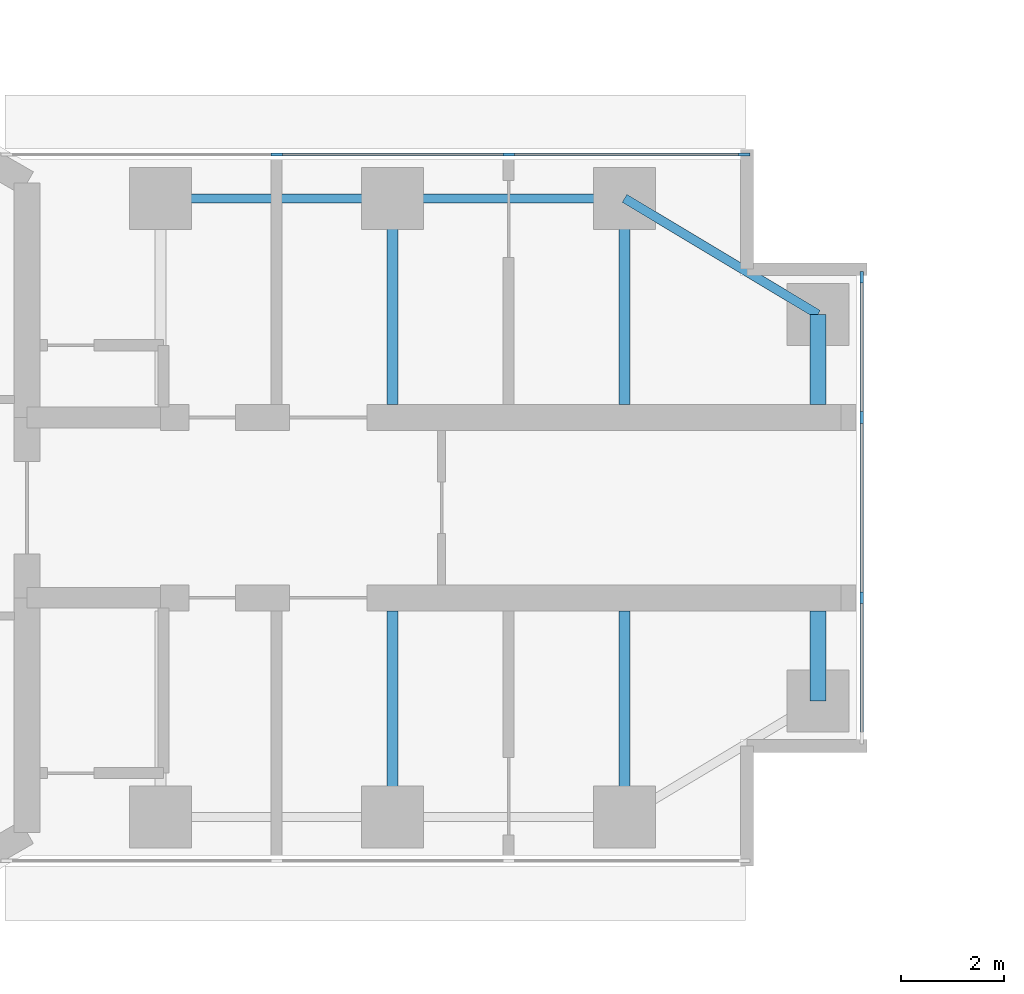
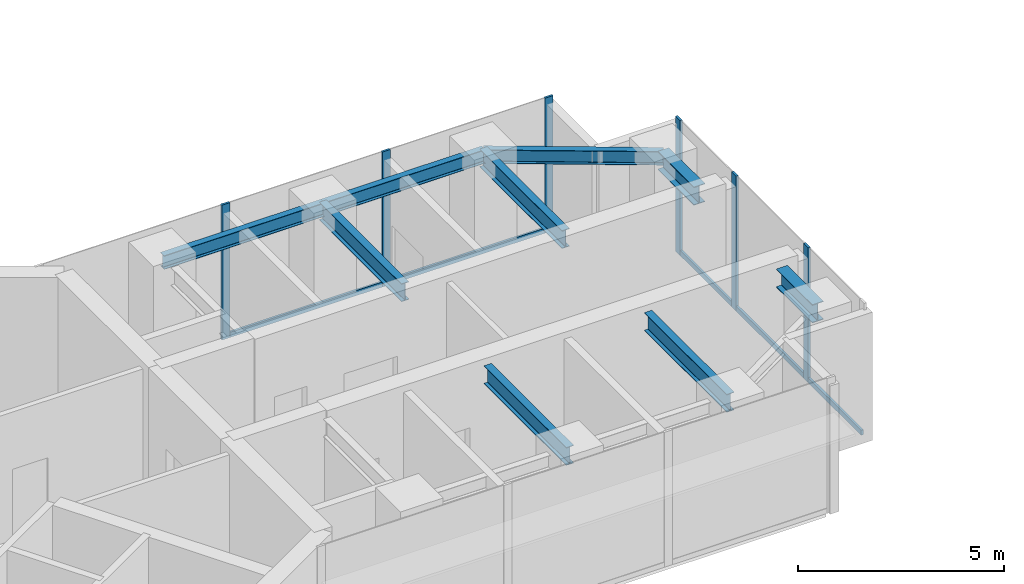
# One storey, part 7 of 17: 11 members, 9 beams, 2 elements without a shape of their own.
"""IFC4 building model written with IfcOpenShell, lengths in metres."""

from ifc_helpers import new_model, si_unit, direction, frame, origin, origin_2d, place, context, subcontext, project, spatial, rectangle, i_section, extrude, material, material_profile, profile_set, type_object, element, aggregate, save


model = new_model("IFC4")

# Units and contexts
model_context = context("Model", 3, precision=1e-05, world=origin(), true_north=direction((0.0, 1.0)))
body_context = subcontext(model_context, "Body", "Model", "MODEL_VIEW")
ifc_project = project(units=[si_unit("LENGTHUNIT", "METRE"), si_unit("AREAUNIT", "SQUARE_METRE"), si_unit("VOLUMEUNIT", "CUBIC_METRE"), si_unit("PLANEANGLEUNIT", "RADIAN"), si_unit("MASSUNIT", "GRAM", prefix="KILO")], contexts=[model_context])

# Site, building, storey
site_placement = place(None, origin())
site = spatial("IfcSite", under=ifc_project, at=site_placement, CompositionType="ELEMENT")
building_placement = place(site_placement, origin())
building = spatial("IfcBuilding", under=site, at=building_placement, Name="Upepo Twin Towers", CompositionType="ELEMENT")
storey_placement = place(building_placement, frame((0.0, 0.0, 190.5)))
storey = spatial("IfcBuildingStorey", under=building, at=storey_placement, Name="L46", CompositionType="ELEMENT", Elevation=190.5)

# Beams
ifc_material_1 = material(Name="Steel S355", Category="steel")
ifc_material_profile_1 = material_profile(ifc_material_1, i_section(OverallWidth=0.177978515625, OverallDepth=0.406494140625, WebThickness=0.0078125, FlangeThickness=0.0126953125, FilletRadius=0.01025390625, at=origin_2d()), Name="UB 406x178x60")
ifc_profile_set_1 = profile_set([ifc_material_profile_1], Name="Steel S355")
beam_type_1 = type_object("IfcBeamType", Name="Beam UB 406x178x60", PredefinedType="BEAM", material=ifc_profile_set_1)
for number, where, z_axis, x_axis, name in (
    (1, (13.5, 6.0, 3.5966796875), (1.0, 0.0, 0.0), (0.0, 1.0, 0.0), "T1 edge beam AL 13.5-18.0"),
    (2, (18.0, 6.0, 3.5966796875), (1.0, 0.0, 0.0), (0.0, 1.0, 0.0), "T1 edge beam AL 18.0-22.5"),
):
    element("IfcBeam", number, at=place(storey_placement, frame(where, z_axis=z_axis, x_axis=x_axis)), inside=storey, type_object=beam_type_1, Name=name, PredefinedType="BEAM", context=body_context, shape_type="SweptSolid", body=[
        extrude(i_section(OverallWidth=0.177978515625, OverallDepth=0.406494140625, WebThickness=0.0078125, FlangeThickness=0.0126953125, FilletRadius=0.01025390625, at=origin_2d()), origin(), (0.0, 0.0, 1.0), 4.5),
    ])
beam_placement = place(storey_placement, frame((22.5, 6.0, 3.5966796875), z_axis=(0.857492925713, -0.514495755428, 0.0), x_axis=(0.514495755428, 0.857492925713, 0.0)))
element("IfcBeam", 3, at=beam_placement, inside=storey, type_object=beam_type_1, Name="T1 nose edge beam AL", PredefinedType="BEAM", context=body_context, shape_type="SweptSolid", body=[
    extrude(i_section(OverallWidth=0.177978515625, OverallDepth=0.406494140625, WebThickness=0.0078125, FlangeThickness=0.0126953125, FilletRadius=0.01025390625, at=origin_2d()), origin(), (0.0, 0.0, 1.0), 4.373291015625),
])
ifc_material_2 = material(Name="Steel S355", Category="steel")
ifc_material_profile_2 = material_profile(ifc_material_2, i_section(OverallWidth=0.209228515625, OverallDepth=0.533203125, WebThickness=0.010009765625, FlangeThickness=0.015625, FilletRadius=0.0126953125, at=origin_2d()), Name="UB 533x210x92")
ifc_profile_set_2 = profile_set([ifc_material_profile_2], Name="Steel S355")
beam_type_2 = type_object("IfcBeamType", Name="Beam UB 533x210x92", PredefinedType="BEAM", material=ifc_profile_set_2)
for number, where, z_axis, x_axis, name in (
    (4, (18.0, 6.0, 3.533447265625), (0.0, -1.0, 0.0), (1.0, 0.0, 0.0), "T1 girder AL at 18.0"),
    (5, (22.5, 6.0, 3.533447265625), (0.0, -1.0, 0.0), (1.0, 0.0, 0.0), "T1 girder AL at 22.5"),
    (6, (18.0, -6.0, 3.533447265625), (0.0, 1.0, 0.0), (-1.0, 0.0, 0.0), "T1 girder AR at 18.0"),
    (7, (22.5, -6.0, 3.533447265625), (0.0, 1.0, 0.0), (-1.0, 0.0, 0.0), "T1 girder AR at 22.5"),
):
    element("IfcBeam", number, at=place(storey_placement, frame(where, z_axis=z_axis, x_axis=x_axis)), inside=storey, type_object=beam_type_2, Name=name, PredefinedType="BEAM", context=body_context, shape_type="SweptSolid", body=[
        extrude(i_section(OverallWidth=0.209228515625, OverallDepth=0.533203125, WebThickness=0.010009765625, FlangeThickness=0.015625, FilletRadius=0.0126953125, at=origin_2d()), origin(), (0.0, 0.0, 1.0), 4.0),
    ])
ifc_material_3 = material(Name="Steel S355", Category="steel")
ifc_material_profile_3 = material_profile(ifc_material_3, i_section(OverallWidth=0.31201171875, OverallDepth=0.54345703125, WebThickness=0.0126953125, FlangeThickness=0.020263671875, FilletRadius=0.0126953125, at=origin_2d()), Name="UB 533x312x150")
ifc_profile_set_3 = profile_set([ifc_material_profile_3], Name="Steel S355")
beam_type_3 = type_object("IfcBeamType", Name="Beam UB 533x312x150", PredefinedType="BEAM", material=ifc_profile_set_3)
for number, where, z_axis, x_axis, name in (
    (8, (26.25, 3.75, 3.5283203125), (0.0, -1.0, 0.0), (1.0, 0.0, 0.0), "T1 nose beam AL"),
    (9, (26.25, -3.75, 3.5283203125), (0.0, 1.0, 0.0), (-1.0, 0.0, 0.0), "T1 nose beam AR"),
):
    element("IfcBeam", number, at=place(storey_placement, frame(where, z_axis=z_axis, x_axis=x_axis)), inside=storey, type_object=beam_type_3, Name=name, PredefinedType="BEAM", context=body_context, shape_type="SweptSolid", body=[
        extrude(i_section(OverallWidth=0.31201171875, OverallDepth=0.54345703125, WebThickness=0.0126953125, FlangeThickness=0.020263671875, FilletRadius=0.0126953125, at=origin_2d()), origin(), (0.0, 0.0, 1.0), 1.75),
    ])

# Curtain wall, members
ifc_material_4 = material(Name="Aluminium and fritted glass", Category="aluminium")
curtain_wall_type = type_object("IfcCurtainWallType", Name="Tower curtain wall TW3, fritted glass", PredefinedType="NOTDEFINED", material=ifc_material_4)
curtain_wall_1_placement = place(storey_placement, origin())
curtain_wall_1 = element("IfcCurtainWall", 10, at=curtain_wall_1_placement, inside=storey, type_object=curtain_wall_type, Name="T1 L46 wing A flank L curtain wall", PredefinedType="NOTDEFINED")
ifc_material_5 = material(Name="Aluminium mullion", Category="aluminium")
ifc_material_profile_4 = material_profile(ifc_material_5, rectangle(XDim=0.06494140625, YDim=0.22509765625, at=origin_2d()), Name="MULLION 65x225")
ifc_profile_set_4 = profile_set([ifc_material_profile_4], Name="Aluminium mullion")
member_type_1 = type_object("IfcMemberType", Name="Mullion 65x225 TW3", PredefinedType="MULLION", material=ifc_profile_set_4)
member_1_placement = place(storey_placement, frame((15.75, 6.85009765625, 0.0), z_axis=(0.0, 0.0, 1.0), x_axis=(0.0, 1.0, 0.0)))
member_1 = element("IfcMember", 11, at=member_1_placement, type_object=member_type_1, Name="T1 L46 wing A flank L curtain wall mullion 2", PredefinedType="MULLION", context=body_context, shape_type="SweptSolid", body=[
    extrude(rectangle(XDim=0.06494140625, YDim=0.22509765625, at=origin_2d()), origin(), (0.0, 0.0, 1.0), 4.0),
])
member_2_placement = place(storey_placement, frame((20.25, 6.85009765625, 0.0), z_axis=(0.0, 0.0, 1.0), x_axis=(0.0, 1.0, 0.0)))
member_2 = element("IfcMember", 12, at=member_2_placement, type_object=member_type_1, Name="T1 L46 wing A flank L curtain wall mullion 3", PredefinedType="MULLION", context=body_context, shape_type="SweptSolid", body=[
    extrude(rectangle(XDim=0.06494140625, YDim=0.22509765625, at=origin_2d()), origin(), (0.0, 0.0, 1.0), 4.0),
])
member_3_placement = place(storey_placement, frame((24.8173828125, 6.85009765625, 0.0), z_axis=(0.0, 0.0, 1.0), x_axis=(0.0, 1.0, 0.0)))
member_3 = element("IfcMember", 13, at=member_3_placement, type_object=member_type_1, Name="T1 L46 wing A flank L curtain wall mullion 4", PredefinedType="MULLION", context=body_context, shape_type="SweptSolid", body=[
    extrude(rectangle(XDim=0.06494140625, YDim=0.22509765625, at=origin_2d()), origin(), (0.0, 0.0, 1.0), 4.0),
])

curtain_wall_2_placement = place(storey_placement, origin())
curtain_wall_2 = element("IfcCurtainWall", 14, at=curtain_wall_2_placement, inside=storey, type_object=curtain_wall_type, Name="T1 L46 wing A nose curtain wall", PredefinedType="NOTDEFINED")
member_4_placement = place(storey_placement, frame((27.10009765625, -1.75, 0.0), z_axis=(0.0, 0.0, 1.0), x_axis=(-1.0, 0.0, 0.0)))
member_4 = element("IfcMember", 15, at=member_4_placement, type_object=member_type_1, Name="T1 L46 wing A nose curtain wall mullion 2", PredefinedType="MULLION", context=body_context, shape_type="SweptSolid", body=[
    extrude(rectangle(XDim=0.06494140625, YDim=0.22509765625, at=origin_2d()), origin(), (0.0, 0.0, 1.0), 4.0),
])
member_5_placement = place(storey_placement, frame((27.10009765625, 1.75, 0.0), z_axis=(0.0, 0.0, 1.0), x_axis=(-1.0, 0.0, 0.0)))
member_5 = element("IfcMember", 16, at=member_5_placement, type_object=member_type_1, Name="T1 L46 wing A nose curtain wall mullion 3", PredefinedType="MULLION", context=body_context, shape_type="SweptSolid", body=[
    extrude(rectangle(XDim=0.06494140625, YDim=0.22509765625, at=origin_2d()), origin(), (0.0, 0.0, 1.0), 4.0),
])
member_6_placement = place(storey_placement, frame((27.10009765625, 4.467529296875, 0.0), z_axis=(0.0, 0.0, 1.0), x_axis=(-1.0, 0.0, 0.0)))
member_6 = element("IfcMember", 17, at=member_6_placement, type_object=member_type_1, Name="T1 L46 wing A nose curtain wall mullion 4", PredefinedType="MULLION", context=body_context, shape_type="SweptSolid", body=[
    extrude(rectangle(XDim=0.06494140625, YDim=0.22509765625, at=origin_2d()), origin(), (0.0, 0.0, 1.0), 4.0),
])

# Member
ifc_material_6 = material(Name="Aluminium transom", Category="aluminium")
ifc_material_profile_5 = material_profile(ifc_material_6, rectangle(XDim=0.06494140625, YDim=0.14990234375, at=origin_2d()), Name="TRANSOM 65x150")
ifc_profile_set_5 = profile_set([ifc_material_profile_5], Name="Aluminium transom")
member_type_2 = type_object("IfcMemberType", Name="Transom 65x150 TW3", PredefinedType="USERDEFINED", material=ifc_profile_set_5)
member_7_placement = place(storey_placement, frame((15.782470703125, 6.85009765625, 0.074951171875), z_axis=(1.0, 0.0, 0.0), x_axis=(0.0, 1.0, 0.0)))
member_7 = element("IfcMember", 18, at=member_7_placement, type_object=member_type_2, Name="T1 L46 wing A flank L curtain wall transom 2", ObjectType="TRANSOM", PredefinedType="USERDEFINED", context=body_context, shape_type="SweptSolid", body=[
    extrude(rectangle(XDim=0.06494140625, YDim=0.14990234375, at=origin_2d()), origin(), (0.0, 0.0, 1.0), 4.43505859375),
])

member_8_placement = place(storey_placement, frame((20.282470703125, 6.85009765625, 0.074951171875), z_axis=(1.0, 0.0, 0.0), x_axis=(0.0, 1.0, 0.0)))
member_8 = element("IfcMember", 19, at=member_8_placement, type_object=member_type_2, Name="T1 L46 wing A flank L curtain wall transom 3", ObjectType="TRANSOM", PredefinedType="USERDEFINED", context=body_context, shape_type="SweptSolid", body=[
    extrude(rectangle(XDim=0.06494140625, YDim=0.14990234375, at=origin_2d()), origin(), (0.0, 0.0, 1.0), 4.50244140625),
])

aggregate(curtain_wall_1, [member_1, member_2, member_3, member_7, member_8])

member_9_placement = place(storey_placement, frame((27.10009765625, -4.43505859375, 0.074951171875), z_axis=(0.0, 1.0, 0.0), x_axis=(-1.0, 0.0, 0.0)))
member_9 = element("IfcMember", 20, at=member_9_placement, type_object=member_type_2, Name="T1 L46 wing A nose curtain wall transom 1", ObjectType="TRANSOM", PredefinedType="USERDEFINED", context=body_context, shape_type="SweptSolid", body=[
    extrude(rectangle(XDim=0.06494140625, YDim=0.14990234375, at=origin_2d()), origin(), (0.0, 0.0, 1.0), 2.652587890625),
])

member_10_placement = place(storey_placement, frame((27.10009765625, -1.717529296875, 0.074951171875), z_axis=(0.0, 1.0, 0.0), x_axis=(-1.0, 0.0, 0.0)))
member_10 = element("IfcMember", 21, at=member_10_placement, type_object=member_type_2, Name="T1 L46 wing A nose curtain wall transom 2", ObjectType="TRANSOM", PredefinedType="USERDEFINED", context=body_context, shape_type="SweptSolid", body=[
    extrude(rectangle(XDim=0.06494140625, YDim=0.14990234375, at=origin_2d()), origin(), (0.0, 0.0, 1.0), 3.43505859375),
])

member_11_placement = place(storey_placement, frame((27.10009765625, 1.782470703125, 0.074951171875), z_axis=(0.0, 1.0, 0.0), x_axis=(-1.0, 0.0, 0.0)))
member_11 = element("IfcMember", 22, at=member_11_placement, type_object=member_type_2, Name="T1 L46 wing A nose curtain wall transom 3", ObjectType="TRANSOM", PredefinedType="USERDEFINED", context=body_context, shape_type="SweptSolid", body=[
    extrude(rectangle(XDim=0.06494140625, YDim=0.14990234375, at=origin_2d()), origin(), (0.0, 0.0, 1.0), 2.652587890625),
])

aggregate(curtain_wall_2, [member_4, member_5, member_6, member_9, member_10, member_11])

save(model, "model.ifc")
